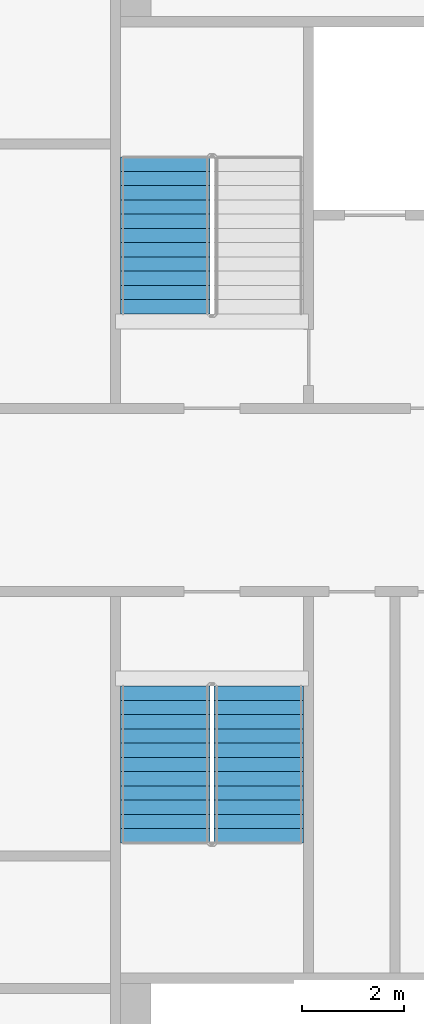
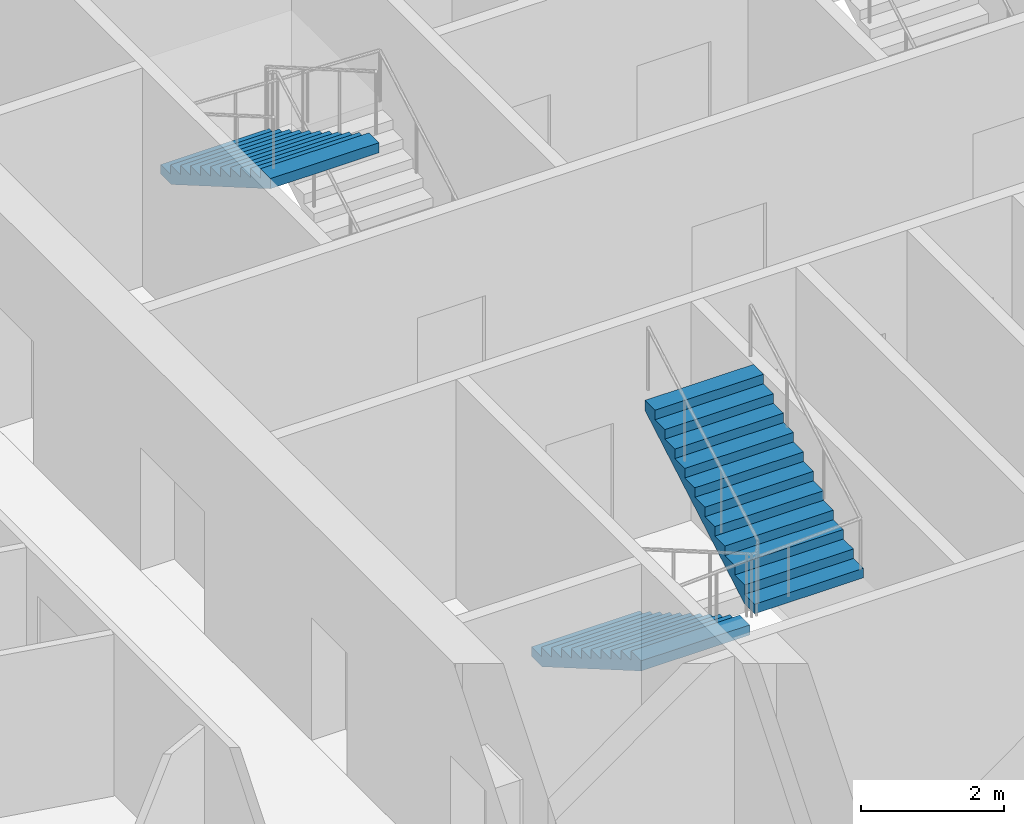
# One storey, part 7 of 14: 3 stair flights, 2 elements without a shape of their own.
"""IFC4 building model written with IfcOpenShell, lengths in metres."""

from ifc_helpers import new_model, si_unit, direction, frame, origin, place, context, subcontext, project, spatial, faceted_brep, material, type_object, element, aggregate, save


model = new_model("IFC4")

# Units and contexts
model_context = context("Model", 3, precision=1e-05, world=origin(), true_north=direction((0.0, 1.0)))
body_context = subcontext(model_context, "Body", "Model", "MODEL_VIEW")
ifc_project = project(units=[si_unit("LENGTHUNIT", "METRE"), si_unit("AREAUNIT", "SQUARE_METRE"), si_unit("VOLUMEUNIT", "CUBIC_METRE"), si_unit("PLANEANGLEUNIT", "RADIAN"), si_unit("MASSUNIT", "GRAM", prefix="KILO")], contexts=[model_context])

# Site, building, storey
site_placement = place(None, origin())
site = spatial("IfcSite", under=ifc_project, at=site_placement, CompositionType="ELEMENT")
building_placement = place(site_placement, origin())
building = spatial("IfcBuilding", under=site, at=building_placement, Name="Tarsis Ring Headquarters", CompositionType="ELEMENT")
storey_placement = place(building_placement, frame((0.0, 0.0, 235.5)))
storey = spatial("IfcBuildingStorey", under=building, at=storey_placement, Name="L55", CompositionType="ELEMENT", Elevation=235.5)

# Stair, stair flight
ifc_material_1 = material(Name="Core stair 1760")
stair_type = type_object("IfcStairType", Name="Core stair 1760", PredefinedType="HALF_TURN_STAIR", material=ifc_material_1)
stair_1_placement = place(storey_placement, origin())
stair_1 = element("IfcStair", 1, at=stair_1_placement, inside=storey, type_object=stair_type, Name="L55 Firefighting stair", PredefinedType="HALF_TURN_STAIR")
ifc_material_2 = material(Name="Concrete C40/50", Category="concrete")
stair_flight_type = type_object("IfcStairFlightType", Name="Core stair flight 1760", PredefinedType="STRAIGHT", material=ifc_material_2)
stair_flight_1_placement = place(storey_placement, frame((-5.419921875, 6.739990234375, 1.949951171875), z_axis=(0.0, 0.0, 1.0), x_axis=(0.0, -1.0, 0.0)))
stair_flight_1 = element("IfcStairFlight", 2, at=stair_flight_1_placement, type_object=stair_flight_type, Name="Stair ST1 flight 2", NumberOfRisers=12, NumberOfTreads=11, PredefinedType="STRAIGHT", RiserHeight=0.1625, TreadLength=0.28, context=body_context, shape_type="Brep", body=[
    faceted_brep([(0.0, 0.8798828125, 0.0), (0.0, 0.8798828125, 0.16259765625), (0.280029296875, 0.8798828125, 0.16259765625), (0.280029296875, 0.8798828125, 0.324951171875), (0.56005859375, 0.8798828125, 0.324951171875), (0.56005859375, 0.8798828125, 0.487548828125), (0.840087890625, 0.8798828125, 0.487548828125), (0.840087890625, 0.8798828125, 0.64990234375), (1.1201171875, 0.8798828125, 0.64990234375), (1.1201171875, 0.8798828125, 0.8125), (1.39990234375, 0.8798828125, 0.8125), (1.39990234375, 0.8798828125, 0.97509765625), (1.679931640625, 0.8798828125, 0.97509765625), (1.679931640625, 0.8798828125, 1.137451171875), (1.9599609375, 0.8798828125, 1.137451171875), (1.9599609375, 0.8798828125, 1.300048828125), (2.239990234375, 0.8798828125, 1.300048828125), (2.239990234375, 0.8798828125, 1.46240234375), (2.52001953125, 0.8798828125, 1.46240234375), (2.52001953125, 0.8798828125, 1.625), (2.800048828125, 0.8798828125, 1.625), (2.800048828125, 0.8798828125, 1.78759765625), (3.080078125, 0.8798828125, 1.78759765625), (3.080078125, 0.8798828125, 1.6142578125), (0.298583984375, 0.8798828125, 0.0), (0.298583984375, -0.8798828125, 0.0), (3.080078125, -0.8798828125, 1.6142578125), (3.080078125, -0.8798828125, 1.78759765625), (2.800048828125, -0.8798828125, 1.78759765625), (2.800048828125, -0.8798828125, 1.625), (2.52001953125, -0.8798828125, 1.625), (2.52001953125, -0.8798828125, 1.46240234375), (2.239990234375, -0.8798828125, 1.46240234375), (2.239990234375, -0.8798828125, 1.300048828125), (1.9599609375, -0.8798828125, 1.300048828125), (1.9599609375, -0.8798828125, 1.137451171875), (1.679931640625, -0.8798828125, 1.137451171875), (1.679931640625, -0.8798828125, 0.97509765625), (1.39990234375, -0.8798828125, 0.97509765625), (1.39990234375, -0.8798828125, 0.8125), (1.1201171875, -0.8798828125, 0.8125), (1.1201171875, -0.8798828125, 0.64990234375), (0.840087890625, -0.8798828125, 0.64990234375), (0.840087890625, -0.8798828125, 0.487548828125), (0.56005859375, -0.8798828125, 0.487548828125), (0.56005859375, -0.8798828125, 0.324951171875), (0.280029296875, -0.8798828125, 0.324951171875), (0.280029296875, -0.8798828125, 0.16259765625), (0.0, -0.8798828125, 0.16259765625), (0.0, -0.8798828125, 0.0), (0.0, -0.43994140625, 0.16259765625), (0.0, -0.43994140625, 0.0), (0.0, 0.0, 0.16259765625), (0.0, 0.0, 0.0), (0.0, 0.43994140625, 0.16259765625), (0.0, 0.43994140625, 0.0), (0.280029296875, -0.43994140625, 0.16259765625), (0.280029296875, 0.0, 0.16259765625), (0.280029296875, 0.43994140625, 0.16259765625), (0.280029296875, -0.43994140625, 0.324951171875), (0.280029296875, 0.0, 0.324951171875), (0.280029296875, 0.43994140625, 0.324951171875), (0.56005859375, -0.43994140625, 0.324951171875), (0.56005859375, 0.0, 0.324951171875), (0.56005859375, 0.43994140625, 0.324951171875), (0.56005859375, -0.43994140625, 0.487548828125), (0.56005859375, 0.0, 0.487548828125), (0.56005859375, 0.43994140625, 0.487548828125), (0.840087890625, -0.43994140625, 0.487548828125), (0.840087890625, 0.0, 0.487548828125), (0.840087890625, 0.43994140625, 0.487548828125), (0.840087890625, -0.43994140625, 0.64990234375), (0.840087890625, 0.0, 0.64990234375), (0.840087890625, 0.43994140625, 0.64990234375), (1.1201171875, -0.43994140625, 0.64990234375), (1.1201171875, 0.0, 0.64990234375), (1.1201171875, 0.43994140625, 0.64990234375), (1.1201171875, -0.43994140625, 0.8125), (1.1201171875, 0.0, 0.8125), (1.1201171875, 0.43994140625, 0.8125), (1.39990234375, -0.43994140625, 0.8125), (1.39990234375, 0.0, 0.8125), (1.39990234375, 0.43994140625, 0.8125), (1.39990234375, -0.43994140625, 0.97509765625), (1.39990234375, 0.0, 0.97509765625), (1.39990234375, 0.43994140625, 0.97509765625), (1.679931640625, -0.43994140625, 0.97509765625), (1.679931640625, 0.0, 0.97509765625), (1.679931640625, 0.43994140625, 0.97509765625), (1.679931640625, -0.43994140625, 1.137451171875), (1.679931640625, 0.0, 1.137451171875), (1.679931640625, 0.43994140625, 1.137451171875), (1.9599609375, -0.43994140625, 1.137451171875), (1.9599609375, 0.0, 1.137451171875), (1.9599609375, 0.43994140625, 1.137451171875), (1.9599609375, -0.43994140625, 1.300048828125), (1.9599609375, 0.0, 1.300048828125), (1.9599609375, 0.43994140625, 1.300048828125), (2.239990234375, -0.43994140625, 1.300048828125), (2.239990234375, 0.0, 1.300048828125), (2.239990234375, 0.43994140625, 1.300048828125), (2.239990234375, -0.43994140625, 1.46240234375), (2.239990234375, 0.0, 1.46240234375), (2.239990234375, 0.43994140625, 1.46240234375), (2.52001953125, -0.43994140625, 1.46240234375), (2.52001953125, 0.0, 1.46240234375), (2.52001953125, 0.43994140625, 1.46240234375), (2.52001953125, -0.43994140625, 1.625), (2.52001953125, 0.0, 1.625), (2.52001953125, 0.43994140625, 1.625), (2.800048828125, -0.43994140625, 1.625), (2.800048828125, 0.0, 1.625), (2.800048828125, 0.43994140625, 1.625), (2.800048828125, -0.43994140625, 1.78759765625), (2.800048828125, 0.0, 1.78759765625), (2.800048828125, 0.43994140625, 1.78759765625), (3.080078125, -0.43994140625, 1.78759765625), (3.080078125, 0.0, 1.78759765625), (3.080078125, 0.43994140625, 1.78759765625), (3.080078125, -0.43994140625, 1.6142578125), (3.080078125, 0.0, 1.6142578125), (3.080078125, 0.43994140625, 1.6142578125), (0.298583984375, -0.43994140625, 0.0), (0.298583984375, 0.0, 0.0), (0.298583984375, 0.43994140625, 0.0)], [[[0, 1, 2, 3, 4, 5, 6, 7, 8, 9, 10, 11, 12, 13, 14, 15, 16, 17, 18, 19, 20, 21, 22, 23, 24]], [[25, 26, 27, 28, 29, 30, 31, 32, 33, 34, 35, 36, 37, 38, 39, 40, 41, 42, 43, 44, 45, 46, 47, 48, 49]], [[49, 48, 50, 51]], [[51, 50, 52, 53]], [[53, 52, 54, 55]], [[55, 54, 1, 0]], [[48, 47, 56, 50]], [[50, 56, 57, 52]], [[52, 57, 58, 54]], [[54, 58, 2, 1]], [[47, 46, 59, 56]], [[56, 59, 60, 57]], [[57, 60, 61, 58]], [[58, 61, 3, 2]], [[46, 45, 62, 59]], [[59, 62, 63, 60]], [[60, 63, 64, 61]], [[61, 64, 4, 3]], [[45, 44, 65, 62]], [[62, 65, 66, 63]], [[63, 66, 67, 64]], [[64, 67, 5, 4]], [[44, 43, 68, 65]], [[65, 68, 69, 66]], [[66, 69, 70, 67]], [[67, 70, 6, 5]], [[43, 42, 71, 68]], [[68, 71, 72, 69]], [[69, 72, 73, 70]], [[70, 73, 7, 6]], [[42, 41, 74, 71]], [[71, 74, 75, 72]], [[72, 75, 76, 73]], [[73, 76, 8, 7]], [[41, 40, 77, 74]], [[74, 77, 78, 75]], [[75, 78, 79, 76]], [[76, 79, 9, 8]], [[40, 39, 80, 77]], [[77, 80, 81, 78]], [[78, 81, 82, 79]], [[79, 82, 10, 9]], [[39, 38, 83, 80]], [[80, 83, 84, 81]], [[81, 84, 85, 82]], [[82, 85, 11, 10]], [[38, 37, 86, 83]], [[83, 86, 87, 84]], [[84, 87, 88, 85]], [[85, 88, 12, 11]], [[37, 36, 89, 86]], [[86, 89, 90, 87]], [[87, 90, 91, 88]], [[88, 91, 13, 12]], [[36, 35, 92, 89]], [[89, 92, 93, 90]], [[90, 93, 94, 91]], [[91, 94, 14, 13]], [[35, 34, 95, 92]], [[92, 95, 96, 93]], [[93, 96, 97, 94]], [[94, 97, 15, 14]], [[34, 33, 98, 95]], [[95, 98, 99, 96]], [[96, 99, 100, 97]], [[97, 100, 16, 15]], [[33, 32, 101, 98]], [[98, 101, 102, 99]], [[99, 102, 103, 100]], [[100, 103, 17, 16]], [[32, 31, 104, 101]], [[101, 104, 105, 102]], [[102, 105, 106, 103]], [[103, 106, 18, 17]], [[31, 30, 107, 104]], [[104, 107, 108, 105]], [[105, 108, 109, 106]], [[106, 109, 19, 18]], [[30, 29, 110, 107]], [[107, 110, 111, 108]], [[108, 111, 112, 109]], [[109, 112, 20, 19]], [[29, 28, 113, 110]], [[110, 113, 114, 111]], [[111, 114, 115, 112]], [[112, 115, 21, 20]], [[28, 27, 116, 113]], [[113, 116, 117, 114]], [[114, 117, 118, 115]], [[115, 118, 22, 21]], [[27, 26, 119, 116]], [[116, 119, 120, 117]], [[117, 120, 121, 118]], [[118, 121, 23, 22]], [[26, 25, 122, 119]], [[119, 122, 123, 120]], [[120, 123, 124, 121]], [[121, 124, 24, 23]], [[25, 49, 51, 122]], [[122, 51, 53, 123]], [[123, 53, 55, 124]], [[124, 55, 0, 24]]]),
])
aggregate(stair_1, [stair_flight_1])

# Stair, stair flights
stair_2_placement = place(storey_placement, origin())
stair_2 = element("IfcStair", 3, at=stair_2_placement, inside=storey, type_object=stair_type, Name="L55 Exit stair C", PredefinedType="HALF_TURN_STAIR")
stair_flight_2_placement = place(storey_placement, frame((-5.419921875, -3.659912109375, 0.0), z_axis=(0.0, 0.0, 1.0), x_axis=(0.0, -1.0, 0.0)))
stair_flight_2 = element("IfcStairFlight", 4, at=stair_flight_2_placement, type_object=stair_flight_type, Name="Stair ST3 flight 1", NumberOfRisers=12, NumberOfTreads=11, PredefinedType="STRAIGHT", RiserHeight=0.1625, TreadLength=0.28, context=body_context, shape_type="Brep", body=[
    faceted_brep([(0.0, 0.8798828125, 0.0), (0.0, 0.8798828125, 0.16259765625), (0.280029296875, 0.8798828125, 0.16259765625), (0.280029296875, 0.8798828125, 0.324951171875), (0.56005859375, 0.8798828125, 0.324951171875), (0.56005859375, 0.8798828125, 0.487548828125), (0.840087890625, 0.8798828125, 0.487548828125), (0.840087890625, 0.8798828125, 0.64990234375), (1.1201171875, 0.8798828125, 0.64990234375), (1.1201171875, 0.8798828125, 0.8125), (1.39990234375, 0.8798828125, 0.8125), (1.39990234375, 0.8798828125, 0.97509765625), (1.679931640625, 0.8798828125, 0.97509765625), (1.679931640625, 0.8798828125, 1.137451171875), (1.9599609375, 0.8798828125, 1.137451171875), (1.9599609375, 0.8798828125, 1.300048828125), (2.239990234375, 0.8798828125, 1.300048828125), (2.239990234375, 0.8798828125, 1.46240234375), (2.52001953125, 0.8798828125, 1.46240234375), (2.52001953125, 0.8798828125, 1.625), (2.800048828125, 0.8798828125, 1.625), (2.800048828125, 0.8798828125, 1.78759765625), (3.080078125, 0.8798828125, 1.78759765625), (3.080078125, 0.8798828125, 1.6142578125), (0.298583984375, 0.8798828125, 0.0), (0.298583984375, -0.8798828125, 0.0), (3.080078125, -0.8798828125, 1.6142578125), (3.080078125, -0.8798828125, 1.78759765625), (2.800048828125, -0.8798828125, 1.78759765625), (2.800048828125, -0.8798828125, 1.625), (2.52001953125, -0.8798828125, 1.625), (2.52001953125, -0.8798828125, 1.46240234375), (2.239990234375, -0.8798828125, 1.46240234375), (2.239990234375, -0.8798828125, 1.300048828125), (1.9599609375, -0.8798828125, 1.300048828125), (1.9599609375, -0.8798828125, 1.137451171875), (1.679931640625, -0.8798828125, 1.137451171875), (1.679931640625, -0.8798828125, 0.97509765625), (1.39990234375, -0.8798828125, 0.97509765625), (1.39990234375, -0.8798828125, 0.8125), (1.1201171875, -0.8798828125, 0.8125), (1.1201171875, -0.8798828125, 0.64990234375), (0.840087890625, -0.8798828125, 0.64990234375), (0.840087890625, -0.8798828125, 0.487548828125), (0.56005859375, -0.8798828125, 0.487548828125), (0.56005859375, -0.8798828125, 0.324951171875), (0.280029296875, -0.8798828125, 0.324951171875), (0.280029296875, -0.8798828125, 0.16259765625), (0.0, -0.8798828125, 0.16259765625), (0.0, -0.8798828125, 0.0), (0.0, -0.43994140625, 0.16259765625), (0.0, -0.43994140625, 0.0), (0.0, 0.0, 0.16259765625), (0.0, 0.0, 0.0), (0.0, 0.43994140625, 0.16259765625), (0.0, 0.43994140625, 0.0), (0.280029296875, -0.43994140625, 0.16259765625), (0.280029296875, 0.0, 0.16259765625), (0.280029296875, 0.43994140625, 0.16259765625), (0.280029296875, -0.43994140625, 0.324951171875), (0.280029296875, 0.0, 0.324951171875), (0.280029296875, 0.43994140625, 0.324951171875), (0.56005859375, -0.43994140625, 0.324951171875), (0.56005859375, 0.0, 0.324951171875), (0.56005859375, 0.43994140625, 0.324951171875), (0.56005859375, -0.43994140625, 0.487548828125), (0.56005859375, 0.0, 0.487548828125), (0.56005859375, 0.43994140625, 0.487548828125), (0.840087890625, -0.43994140625, 0.487548828125), (0.840087890625, 0.0, 0.487548828125), (0.840087890625, 0.43994140625, 0.487548828125), (0.840087890625, -0.43994140625, 0.64990234375), (0.840087890625, 0.0, 0.64990234375), (0.840087890625, 0.43994140625, 0.64990234375), (1.1201171875, -0.43994140625, 0.64990234375), (1.1201171875, 0.0, 0.64990234375), (1.1201171875, 0.43994140625, 0.64990234375), (1.1201171875, -0.43994140625, 0.8125), (1.1201171875, 0.0, 0.8125), (1.1201171875, 0.43994140625, 0.8125), (1.39990234375, -0.43994140625, 0.8125), (1.39990234375, 0.0, 0.8125), (1.39990234375, 0.43994140625, 0.8125), (1.39990234375, -0.43994140625, 0.97509765625), (1.39990234375, 0.0, 0.97509765625), (1.39990234375, 0.43994140625, 0.97509765625), (1.679931640625, -0.43994140625, 0.97509765625), (1.679931640625, 0.0, 0.97509765625), (1.679931640625, 0.43994140625, 0.97509765625), (1.679931640625, -0.43994140625, 1.137451171875), (1.679931640625, 0.0, 1.137451171875), (1.679931640625, 0.43994140625, 1.137451171875), (1.9599609375, -0.43994140625, 1.137451171875), (1.9599609375, 0.0, 1.137451171875), (1.9599609375, 0.43994140625, 1.137451171875), (1.9599609375, -0.43994140625, 1.300048828125), (1.9599609375, 0.0, 1.300048828125), (1.9599609375, 0.43994140625, 1.300048828125), (2.239990234375, -0.43994140625, 1.300048828125), (2.239990234375, 0.0, 1.300048828125), (2.239990234375, 0.43994140625, 1.300048828125), (2.239990234375, -0.43994140625, 1.46240234375), (2.239990234375, 0.0, 1.46240234375), (2.239990234375, 0.43994140625, 1.46240234375), (2.52001953125, -0.43994140625, 1.46240234375), (2.52001953125, 0.0, 1.46240234375), (2.52001953125, 0.43994140625, 1.46240234375), (2.52001953125, -0.43994140625, 1.625), (2.52001953125, 0.0, 1.625), (2.52001953125, 0.43994140625, 1.625), (2.800048828125, -0.43994140625, 1.625), (2.800048828125, 0.0, 1.625), (2.800048828125, 0.43994140625, 1.625), (2.800048828125, -0.43994140625, 1.78759765625), (2.800048828125, 0.0, 1.78759765625), (2.800048828125, 0.43994140625, 1.78759765625), (3.080078125, -0.43994140625, 1.78759765625), (3.080078125, 0.0, 1.78759765625), (3.080078125, 0.43994140625, 1.78759765625), (3.080078125, -0.43994140625, 1.6142578125), (3.080078125, 0.0, 1.6142578125), (3.080078125, 0.43994140625, 1.6142578125), (0.298583984375, -0.43994140625, 0.0), (0.298583984375, 0.0, 0.0), (0.298583984375, 0.43994140625, 0.0)], [[[0, 1, 2, 3, 4, 5, 6, 7, 8, 9, 10, 11, 12, 13, 14, 15, 16, 17, 18, 19, 20, 21, 22, 23, 24]], [[25, 26, 27, 28, 29, 30, 31, 32, 33, 34, 35, 36, 37, 38, 39, 40, 41, 42, 43, 44, 45, 46, 47, 48, 49]], [[49, 48, 50, 51]], [[51, 50, 52, 53]], [[53, 52, 54, 55]], [[55, 54, 1, 0]], [[48, 47, 56, 50]], [[50, 56, 57, 52]], [[52, 57, 58, 54]], [[54, 58, 2, 1]], [[47, 46, 59, 56]], [[56, 59, 60, 57]], [[57, 60, 61, 58]], [[58, 61, 3, 2]], [[46, 45, 62, 59]], [[59, 62, 63, 60]], [[60, 63, 64, 61]], [[61, 64, 4, 3]], [[45, 44, 65, 62]], [[62, 65, 66, 63]], [[63, 66, 67, 64]], [[64, 67, 5, 4]], [[44, 43, 68, 65]], [[65, 68, 69, 66]], [[66, 69, 70, 67]], [[67, 70, 6, 5]], [[43, 42, 71, 68]], [[68, 71, 72, 69]], [[69, 72, 73, 70]], [[70, 73, 7, 6]], [[42, 41, 74, 71]], [[71, 74, 75, 72]], [[72, 75, 76, 73]], [[73, 76, 8, 7]], [[41, 40, 77, 74]], [[74, 77, 78, 75]], [[75, 78, 79, 76]], [[76, 79, 9, 8]], [[40, 39, 80, 77]], [[77, 80, 81, 78]], [[78, 81, 82, 79]], [[79, 82, 10, 9]], [[39, 38, 83, 80]], [[80, 83, 84, 81]], [[81, 84, 85, 82]], [[82, 85, 11, 10]], [[38, 37, 86, 83]], [[83, 86, 87, 84]], [[84, 87, 88, 85]], [[85, 88, 12, 11]], [[37, 36, 89, 86]], [[86, 89, 90, 87]], [[87, 90, 91, 88]], [[88, 91, 13, 12]], [[36, 35, 92, 89]], [[89, 92, 93, 90]], [[90, 93, 94, 91]], [[91, 94, 14, 13]], [[35, 34, 95, 92]], [[92, 95, 96, 93]], [[93, 96, 97, 94]], [[94, 97, 15, 14]], [[34, 33, 98, 95]], [[95, 98, 99, 96]], [[96, 99, 100, 97]], [[97, 100, 16, 15]], [[33, 32, 101, 98]], [[98, 101, 102, 99]], [[99, 102, 103, 100]], [[100, 103, 17, 16]], [[32, 31, 104, 101]], [[101, 104, 105, 102]], [[102, 105, 106, 103]], [[103, 106, 18, 17]], [[31, 30, 107, 104]], [[104, 107, 108, 105]], [[105, 108, 109, 106]], [[106, 109, 19, 18]], [[30, 29, 110, 107]], [[107, 110, 111, 108]], [[108, 111, 112, 109]], [[109, 112, 20, 19]], [[29, 28, 113, 110]], [[110, 113, 114, 111]], [[111, 114, 115, 112]], [[112, 115, 21, 20]], [[28, 27, 116, 113]], [[113, 116, 117, 114]], [[114, 117, 118, 115]], [[115, 118, 22, 21]], [[27, 26, 119, 116]], [[116, 119, 120, 117]], [[117, 120, 121, 118]], [[118, 121, 23, 22]], [[26, 25, 122, 119]], [[119, 122, 123, 120]], [[120, 123, 124, 121]], [[121, 124, 24, 23]], [[25, 49, 51, 122]], [[122, 51, 53, 123]], [[123, 53, 55, 124]], [[124, 55, 0, 24]]]),
])
stair_flight_3_placement = place(storey_placement, frame((-3.580078125, -6.739990234375, 1.949951171875), z_axis=(0.0, 0.0, 1.0), x_axis=(0.0, 1.0, 0.0)))
stair_flight_3 = element("IfcStairFlight", 5, at=stair_flight_3_placement, type_object=stair_flight_type, Name="Stair ST3 flight 2", NumberOfRisers=12, NumberOfTreads=11, PredefinedType="STRAIGHT", RiserHeight=0.1625, TreadLength=0.28, context=body_context, shape_type="Brep", body=[
    faceted_brep([(0.0, 0.8798828125, 0.0), (0.0, 0.8798828125, 0.16259765625), (0.280029296875, 0.8798828125, 0.16259765625), (0.280029296875, 0.8798828125, 0.324951171875), (0.56005859375, 0.8798828125, 0.324951171875), (0.56005859375, 0.8798828125, 0.487548828125), (0.840087890625, 0.8798828125, 0.487548828125), (0.840087890625, 0.8798828125, 0.64990234375), (1.1201171875, 0.8798828125, 0.64990234375), (1.1201171875, 0.8798828125, 0.8125), (1.39990234375, 0.8798828125, 0.8125), (1.39990234375, 0.8798828125, 0.97509765625), (1.679931640625, 0.8798828125, 0.97509765625), (1.679931640625, 0.8798828125, 1.137451171875), (1.9599609375, 0.8798828125, 1.137451171875), (1.9599609375, 0.8798828125, 1.300048828125), (2.239990234375, 0.8798828125, 1.300048828125), (2.239990234375, 0.8798828125, 1.46240234375), (2.52001953125, 0.8798828125, 1.46240234375), (2.52001953125, 0.8798828125, 1.625), (2.800048828125, 0.8798828125, 1.625), (2.800048828125, 0.8798828125, 1.78759765625), (3.080078125, 0.8798828125, 1.78759765625), (3.080078125, 0.8798828125, 1.6142578125), (0.298583984375, 0.8798828125, 0.0), (0.298583984375, -0.8798828125, 0.0), (3.080078125, -0.8798828125, 1.6142578125), (3.080078125, -0.8798828125, 1.78759765625), (2.800048828125, -0.8798828125, 1.78759765625), (2.800048828125, -0.8798828125, 1.625), (2.52001953125, -0.8798828125, 1.625), (2.52001953125, -0.8798828125, 1.46240234375), (2.239990234375, -0.8798828125, 1.46240234375), (2.239990234375, -0.8798828125, 1.300048828125), (1.9599609375, -0.8798828125, 1.300048828125), (1.9599609375, -0.8798828125, 1.137451171875), (1.679931640625, -0.8798828125, 1.137451171875), (1.679931640625, -0.8798828125, 0.97509765625), (1.39990234375, -0.8798828125, 0.97509765625), (1.39990234375, -0.8798828125, 0.8125), (1.1201171875, -0.8798828125, 0.8125), (1.1201171875, -0.8798828125, 0.64990234375), (0.840087890625, -0.8798828125, 0.64990234375), (0.840087890625, -0.8798828125, 0.487548828125), (0.56005859375, -0.8798828125, 0.487548828125), (0.56005859375, -0.8798828125, 0.324951171875), (0.280029296875, -0.8798828125, 0.324951171875), (0.280029296875, -0.8798828125, 0.16259765625), (0.0, -0.8798828125, 0.16259765625), (0.0, -0.8798828125, 0.0), (0.0, -0.43994140625, 0.16259765625), (0.0, -0.43994140625, 0.0), (0.0, 0.0, 0.16259765625), (0.0, 0.0, 0.0), (0.0, 0.43994140625, 0.16259765625), (0.0, 0.43994140625, 0.0), (0.280029296875, -0.43994140625, 0.16259765625), (0.280029296875, 0.0, 0.16259765625), (0.280029296875, 0.43994140625, 0.16259765625), (0.280029296875, -0.43994140625, 0.324951171875), (0.280029296875, 0.0, 0.324951171875), (0.280029296875, 0.43994140625, 0.324951171875), (0.56005859375, -0.43994140625, 0.324951171875), (0.56005859375, 0.0, 0.324951171875), (0.56005859375, 0.43994140625, 0.324951171875), (0.56005859375, -0.43994140625, 0.487548828125), (0.56005859375, 0.0, 0.487548828125), (0.56005859375, 0.43994140625, 0.487548828125), (0.840087890625, -0.43994140625, 0.487548828125), (0.840087890625, 0.0, 0.487548828125), (0.840087890625, 0.43994140625, 0.487548828125), (0.840087890625, -0.43994140625, 0.64990234375), (0.840087890625, 0.0, 0.64990234375), (0.840087890625, 0.43994140625, 0.64990234375), (1.1201171875, -0.43994140625, 0.64990234375), (1.1201171875, 0.0, 0.64990234375), (1.1201171875, 0.43994140625, 0.64990234375), (1.1201171875, -0.43994140625, 0.8125), (1.1201171875, 0.0, 0.8125), (1.1201171875, 0.43994140625, 0.8125), (1.39990234375, -0.43994140625, 0.8125), (1.39990234375, 0.0, 0.8125), (1.39990234375, 0.43994140625, 0.8125), (1.39990234375, -0.43994140625, 0.97509765625), (1.39990234375, 0.0, 0.97509765625), (1.39990234375, 0.43994140625, 0.97509765625), (1.679931640625, -0.43994140625, 0.97509765625), (1.679931640625, 0.0, 0.97509765625), (1.679931640625, 0.43994140625, 0.97509765625), (1.679931640625, -0.43994140625, 1.137451171875), (1.679931640625, 0.0, 1.137451171875), (1.679931640625, 0.43994140625, 1.137451171875), (1.9599609375, -0.43994140625, 1.137451171875), (1.9599609375, 0.0, 1.137451171875), (1.9599609375, 0.43994140625, 1.137451171875), (1.9599609375, -0.43994140625, 1.300048828125), (1.9599609375, 0.0, 1.300048828125), (1.9599609375, 0.43994140625, 1.300048828125), (2.239990234375, -0.43994140625, 1.300048828125), (2.239990234375, 0.0, 1.300048828125), (2.239990234375, 0.43994140625, 1.300048828125), (2.239990234375, -0.43994140625, 1.46240234375), (2.239990234375, 0.0, 1.46240234375), (2.239990234375, 0.43994140625, 1.46240234375), (2.52001953125, -0.43994140625, 1.46240234375), (2.52001953125, 0.0, 1.46240234375), (2.52001953125, 0.43994140625, 1.46240234375), (2.52001953125, -0.43994140625, 1.625), (2.52001953125, 0.0, 1.625), (2.52001953125, 0.43994140625, 1.625), (2.800048828125, -0.43994140625, 1.625), (2.800048828125, 0.0, 1.625), (2.800048828125, 0.43994140625, 1.625), (2.800048828125, -0.43994140625, 1.78759765625), (2.800048828125, 0.0, 1.78759765625), (2.800048828125, 0.43994140625, 1.78759765625), (3.080078125, -0.43994140625, 1.78759765625), (3.080078125, 0.0, 1.78759765625), (3.080078125, 0.43994140625, 1.78759765625), (3.080078125, -0.43994140625, 1.6142578125), (3.080078125, 0.0, 1.6142578125), (3.080078125, 0.43994140625, 1.6142578125), (0.298583984375, -0.43994140625, 0.0), (0.298583984375, 0.0, 0.0), (0.298583984375, 0.43994140625, 0.0)], [[[0, 1, 2, 3, 4, 5, 6, 7, 8, 9, 10, 11, 12, 13, 14, 15, 16, 17, 18, 19, 20, 21, 22, 23, 24]], [[25, 26, 27, 28, 29, 30, 31, 32, 33, 34, 35, 36, 37, 38, 39, 40, 41, 42, 43, 44, 45, 46, 47, 48, 49]], [[49, 48, 50, 51]], [[51, 50, 52, 53]], [[53, 52, 54, 55]], [[55, 54, 1, 0]], [[48, 47, 56, 50]], [[50, 56, 57, 52]], [[52, 57, 58, 54]], [[54, 58, 2, 1]], [[47, 46, 59, 56]], [[56, 59, 60, 57]], [[57, 60, 61, 58]], [[58, 61, 3, 2]], [[46, 45, 62, 59]], [[59, 62, 63, 60]], [[60, 63, 64, 61]], [[61, 64, 4, 3]], [[45, 44, 65, 62]], [[62, 65, 66, 63]], [[63, 66, 67, 64]], [[64, 67, 5, 4]], [[44, 43, 68, 65]], [[65, 68, 69, 66]], [[66, 69, 70, 67]], [[67, 70, 6, 5]], [[43, 42, 71, 68]], [[68, 71, 72, 69]], [[69, 72, 73, 70]], [[70, 73, 7, 6]], [[42, 41, 74, 71]], [[71, 74, 75, 72]], [[72, 75, 76, 73]], [[73, 76, 8, 7]], [[41, 40, 77, 74]], [[74, 77, 78, 75]], [[75, 78, 79, 76]], [[76, 79, 9, 8]], [[40, 39, 80, 77]], [[77, 80, 81, 78]], [[78, 81, 82, 79]], [[79, 82, 10, 9]], [[39, 38, 83, 80]], [[80, 83, 84, 81]], [[81, 84, 85, 82]], [[82, 85, 11, 10]], [[38, 37, 86, 83]], [[83, 86, 87, 84]], [[84, 87, 88, 85]], [[85, 88, 12, 11]], [[37, 36, 89, 86]], [[86, 89, 90, 87]], [[87, 90, 91, 88]], [[88, 91, 13, 12]], [[36, 35, 92, 89]], [[89, 92, 93, 90]], [[90, 93, 94, 91]], [[91, 94, 14, 13]], [[35, 34, 95, 92]], [[92, 95, 96, 93]], [[93, 96, 97, 94]], [[94, 97, 15, 14]], [[34, 33, 98, 95]], [[95, 98, 99, 96]], [[96, 99, 100, 97]], [[97, 100, 16, 15]], [[33, 32, 101, 98]], [[98, 101, 102, 99]], [[99, 102, 103, 100]], [[100, 103, 17, 16]], [[32, 31, 104, 101]], [[101, 104, 105, 102]], [[102, 105, 106, 103]], [[103, 106, 18, 17]], [[31, 30, 107, 104]], [[104, 107, 108, 105]], [[105, 108, 109, 106]], [[106, 109, 19, 18]], [[30, 29, 110, 107]], [[107, 110, 111, 108]], [[108, 111, 112, 109]], [[109, 112, 20, 19]], [[29, 28, 113, 110]], [[110, 113, 114, 111]], [[111, 114, 115, 112]], [[112, 115, 21, 20]], [[28, 27, 116, 113]], [[113, 116, 117, 114]], [[114, 117, 118, 115]], [[115, 118, 22, 21]], [[27, 26, 119, 116]], [[116, 119, 120, 117]], [[117, 120, 121, 118]], [[118, 121, 23, 22]], [[26, 25, 122, 119]], [[119, 122, 123, 120]], [[120, 123, 124, 121]], [[121, 124, 24, 23]], [[25, 49, 51, 122]], [[122, 51, 53, 123]], [[123, 53, 55, 124]], [[124, 55, 0, 24]]]),
])
aggregate(stair_2, [stair_flight_2, stair_flight_3])

save(model, "model.ifc")
